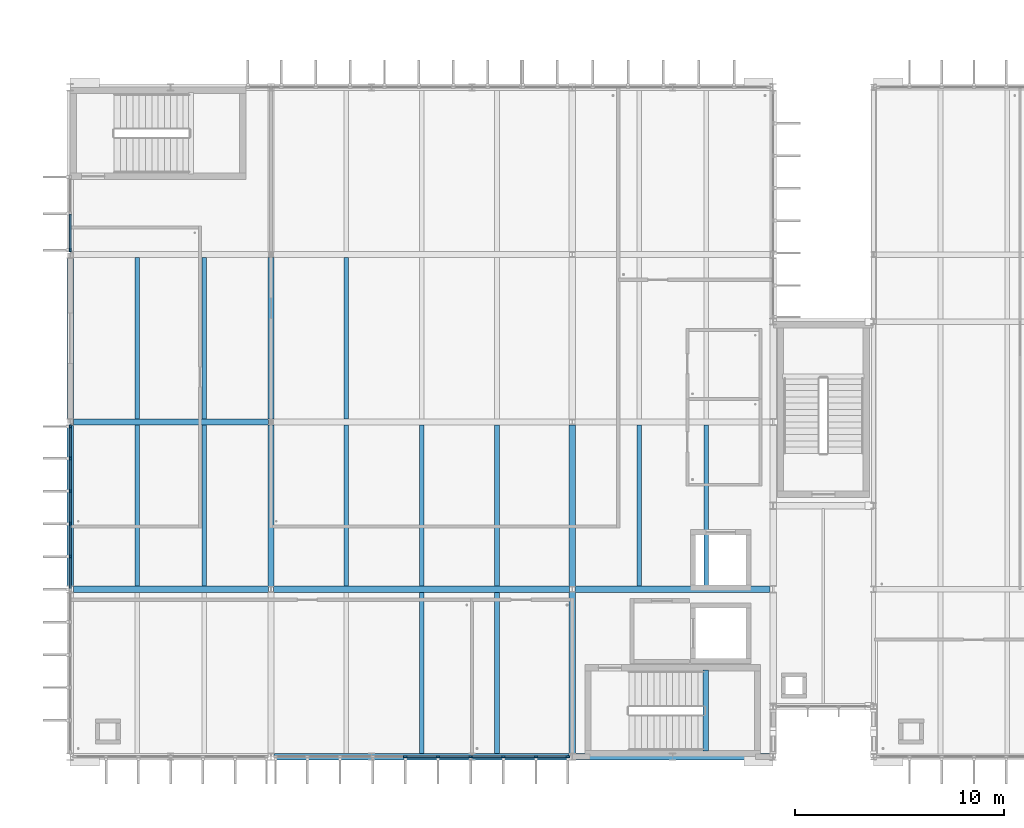
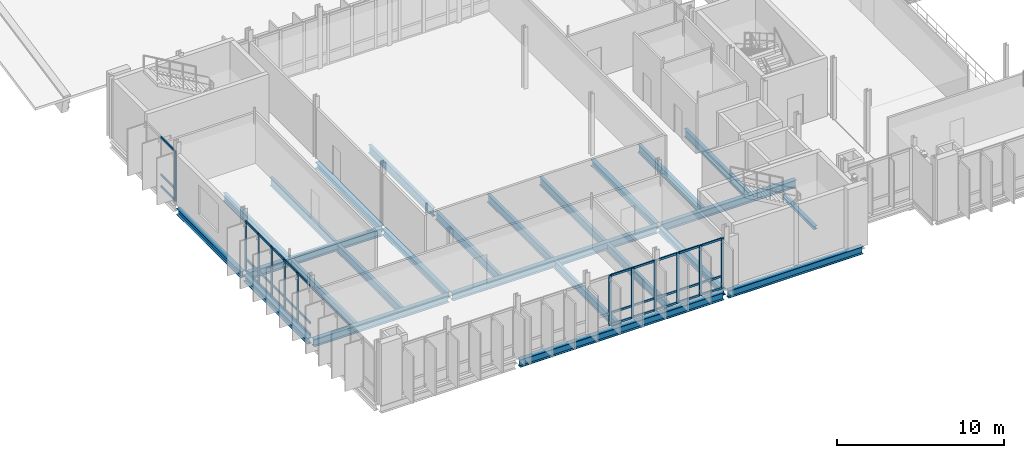
# One storey, part 14 of 59: 45 members, 25 beams, 3 elements without a shape of their own.
"""IFC4 building model written with IfcOpenShell, lengths in metres."""

from ifc_helpers import new_model, si_unit, direction, frame, origin, origin_2d, place, context, subcontext, project, spatial, rectangle, i_section, extrude, material, material_profile, profile_set, type_object, element, aggregate, save


model = new_model("IFC4")

# Units and contexts
model_context = context("Model", 3, precision=1e-05, world=origin(), true_north=direction((0.0, 1.0)))
body_context = subcontext(model_context, "Body", "Model", "MODEL_VIEW")
ifc_project = project(units=[si_unit("LENGTHUNIT", "METRE"), si_unit("AREAUNIT", "SQUARE_METRE"), si_unit("VOLUMEUNIT", "CUBIC_METRE"), si_unit("PLANEANGLEUNIT", "RADIAN"), si_unit("MASSUNIT", "GRAM", prefix="KILO")], contexts=[model_context])

# Site, building, storey
site_placement = place(None, origin())
site = spatial("IfcSite", under=ifc_project, at=site_placement, CompositionType="ELEMENT")
building_placement = place(site_placement, origin())
building = spatial("IfcBuilding", under=site, at=building_placement, Name="Dunescarp Central Library", CompositionType="ELEMENT")
storey_placement = place(building_placement, frame((0.0, 0.0, 18.60009765625)))
storey = spatial("IfcBuildingStorey", under=building, at=storey_placement, Name="L04", CompositionType="ELEMENT", Elevation=18.60009765625)

# Curtain wall, members
ifc_material_1 = material(Name="Marine-grade anodised aluminium 6063-T6", Category="aluminium")
curtain_wall_type = type_object("IfcCurtainWallType", Name="ARC-CW-STICK", PredefinedType="NOTDEFINED", material=ifc_material_1)
curtain_wall_1_placement = place(storey_placement, origin())
curtain_wall_1 = element("IfcCurtainWall", 1, at=curtain_wall_1_placement, inside=storey, type_object=curtain_wall_type, Name="L04 curtain wall CW-V1-025", PredefinedType="NOTDEFINED")
ifc_material_profile_1 = material_profile(ifc_material_1, rectangle(XDim=0.080078125, YDim=0.179931640625, at=origin_2d()), Name="AL 80x180")
ifc_profile_set_1 = profile_set([ifc_material_profile_1], Name="Marine-grade anodised aluminium 6063-T6")
member_type_1 = type_object("IfcMemberType", Name="ARC-CWM-180", PredefinedType="MULLION", material=ifc_profile_set_1)
member_1_placement = place(storey_placement, frame((23.784912109375, 4.800048828125, 0.0), z_axis=(0.0, 0.0, 1.0), x_axis=(0.0, -1.0, 0.0)))
member_1 = element("IfcMember", 2, at=member_1_placement, type_object=member_type_1, Name="CW-V1-025 mullion 1", PredefinedType="MULLION", context=body_context, shape_type="SweptSolid", body=[
    extrude(rectangle(XDim=0.080078125, YDim=0.179931640625, at=origin_2d()), origin(), (0.0, 0.0, 1.0), 3.664794921875),
])
member_2_placement = place(storey_placement, frame((22.263916015625, 4.800048828125, 0.0), z_axis=(0.0, 0.0, 1.0), x_axis=(0.0, -1.0, 0.0)))
member_2 = element("IfcMember", 3, at=member_2_placement, type_object=member_type_1, Name="CW-V1-025 mullion 2", PredefinedType="MULLION", context=body_context, shape_type="SweptSolid", body=[
    extrude(rectangle(XDim=0.080078125, YDim=0.179931640625, at=origin_2d()), origin(), (0.0, 0.0, 1.0), 3.664794921875),
])
member_3_placement = place(storey_placement, frame((20.702880859375, 4.800048828125, 0.0), z_axis=(0.0, 0.0, 1.0), x_axis=(0.0, -1.0, 0.0)))
member_3 = element("IfcMember", 4, at=member_3_placement, type_object=member_type_1, Name="CW-V1-025 mullion 3", PredefinedType="MULLION", context=body_context, shape_type="SweptSolid", body=[
    extrude(rectangle(XDim=0.080078125, YDim=0.179931640625, at=origin_2d()), origin(), (0.0, 0.0, 1.0), 3.664794921875),
])
member_4_placement = place(storey_placement, frame((19.1416015625, 4.800048828125, 0.0), z_axis=(0.0, 0.0, 1.0), x_axis=(0.0, -1.0, 0.0)))
member_4 = element("IfcMember", 5, at=member_4_placement, type_object=member_type_1, Name="CW-V1-025 mullion 4", PredefinedType="MULLION", context=body_context, shape_type="SweptSolid", body=[
    extrude(rectangle(XDim=0.080078125, YDim=0.179931640625, at=origin_2d()), origin(), (0.0, 0.0, 1.0), 3.664794921875),
])
member_5_placement = place(storey_placement, frame((17.58056640625, 4.800048828125, 0.0), z_axis=(0.0, 0.0, 1.0), x_axis=(0.0, -1.0, 0.0)))
member_5 = element("IfcMember", 6, at=member_5_placement, type_object=member_type_1, Name="CW-V1-025 mullion 5", PredefinedType="MULLION", context=body_context, shape_type="SweptSolid", body=[
    extrude(rectangle(XDim=0.080078125, YDim=0.179931640625, at=origin_2d()), origin(), (0.0, 0.0, 1.0), 3.664794921875),
])
member_6_placement = place(storey_placement, frame((16.01953125, 4.800048828125, 0.0), z_axis=(0.0, 0.0, 1.0), x_axis=(0.0, -1.0, 0.0)))
member_6 = element("IfcMember", 7, at=member_6_placement, type_object=member_type_1, Name="CW-V1-025 mullion 6", PredefinedType="MULLION", context=body_context, shape_type="SweptSolid", body=[
    extrude(rectangle(XDim=0.080078125, YDim=0.179931640625, at=origin_2d()), origin(), (0.0, 0.0, 1.0), 3.664794921875),
])

curtain_wall_2_placement = place(storey_placement, origin())
curtain_wall_2 = element("IfcCurtainWall", 8, at=curtain_wall_2_placement, inside=storey, type_object=curtain_wall_type, Name="L04 curtain wall CW-V1-028", PredefinedType="NOTDEFINED")
member_7_placement = place(storey_placement, frame((0.0, 14.364990234375, 0.0), z_axis=(0.0, 0.0, 1.0), x_axis=(-1.0, 0.0, 0.0)))
member_7 = element("IfcMember", 9, at=member_7_placement, type_object=member_type_1, Name="CW-V1-028 mullion 7", PredefinedType="MULLION", context=body_context, shape_type="SweptSolid", body=[
    extrude(rectangle(XDim=0.080078125, YDim=0.179931640625, at=origin_2d()), origin(), (0.0, 0.0, 1.0), 3.664794921875),
])
member_8_placement = place(storey_placement, frame((0.0, 15.929931640625, 0.0), z_axis=(0.0, 0.0, 1.0), x_axis=(-1.0, 0.0, 0.0)))
member_8 = element("IfcMember", 10, at=member_8_placement, type_object=member_type_1, Name="CW-V1-028 mullion 8", PredefinedType="MULLION", context=body_context, shape_type="SweptSolid", body=[
    extrude(rectangle(XDim=0.080078125, YDim=0.179931640625, at=origin_2d()), origin(), (0.0, 0.0, 1.0), 3.664794921875),
])
member_9_placement = place(storey_placement, frame((0.0, 17.4951171875, 0.0), z_axis=(0.0, 0.0, 1.0), x_axis=(-1.0, 0.0, 0.0)))
member_9 = element("IfcMember", 11, at=member_9_placement, type_object=member_type_1, Name="CW-V1-028 mullion 9", PredefinedType="MULLION", context=body_context, shape_type="SweptSolid", body=[
    extrude(rectangle(XDim=0.080078125, YDim=0.179931640625, at=origin_2d()), origin(), (0.0, 0.0, 1.0), 3.664794921875),
])
member_10_placement = place(storey_placement, frame((0.0, 19.06005859375, 0.0), z_axis=(0.0, 0.0, 1.0), x_axis=(-1.0, 0.0, 0.0)))
member_10 = element("IfcMember", 12, at=member_10_placement, type_object=member_type_1, Name="CW-V1-028 mullion 10", PredefinedType="MULLION", context=body_context, shape_type="SweptSolid", body=[
    extrude(rectangle(XDim=0.080078125, YDim=0.179931640625, at=origin_2d()), origin(), (0.0, 0.0, 1.0), 3.664794921875),
])
member_11_placement = place(storey_placement, frame((0.0, 20.5849609375, 0.0), z_axis=(0.0, 0.0, 1.0), x_axis=(-1.0, 0.0, 0.0)))
member_11 = element("IfcMember", 13, at=member_11_placement, type_object=member_type_1, Name="CW-V1-028 mullion 11", PredefinedType="MULLION", context=body_context, shape_type="SweptSolid", body=[
    extrude(rectangle(XDim=0.080078125, YDim=0.179931640625, at=origin_2d()), origin(), (0.0, 0.0, 1.0), 3.664794921875),
])

# Curtain wall, member
curtain_wall_3_placement = place(storey_placement, origin())
curtain_wall_3 = element("IfcCurtainWall", 14, at=curtain_wall_3_placement, inside=storey, type_object=curtain_wall_type, Name="L04 curtain wall CW-V1-029", PredefinedType="NOTDEFINED")
member_12_placement = place(storey_placement, frame((0.0, 29.014892578125, 0.0), z_axis=(0.0, 0.0, 1.0), x_axis=(-1.0, 0.0, 0.0)))
member_12 = element("IfcMember", 15, at=member_12_placement, type_object=member_type_1, Name="CW-V1-029 mullion 1", PredefinedType="MULLION", context=body_context, shape_type="SweptSolid", body=[
    extrude(rectangle(XDim=0.080078125, YDim=0.179931640625, at=origin_2d()), origin(), (0.0, 0.0, 1.0), 3.664794921875),
])

# Member
ifc_material_profile_2 = material_profile(ifc_material_1, rectangle(XDim=0.080078125, YDim=0.14990234375, at=origin_2d()), Name="AL 80x150")
ifc_profile_set_2 = profile_set([ifc_material_profile_2], Name="Marine-grade anodised aluminium 6063-T6")
member_type_2 = type_object("IfcMemberType", Name="ARC-CWT-150", PredefinedType="USERDEFINED", material=ifc_profile_set_2)
member_13_placement = place(storey_placement, frame((23.7451171875, 4.800048828125, 0.039794921875), z_axis=(-1.0, 0.0, 0.0), x_axis=(0.0, -1.0, 0.0)))
member_13 = element("IfcMember", 16, at=member_13_placement, type_object=member_type_2, Name="CW-V1-025 transom 1.1", ObjectType="TRANSOM", PredefinedType="USERDEFINED", context=body_context, shape_type="SweptSolid", body=[
    extrude(rectangle(XDim=0.080078125, YDim=0.14990234375, at=origin_2d()), origin(), (0.0, 0.0, 1.0), 1.441162109375),
])

member_14_placement = place(storey_placement, frame((23.7451171875, 4.800048828125, 0.89990234375), z_axis=(-1.0, 0.0, 0.0), x_axis=(0.0, -1.0, 0.0)))
member_14 = element("IfcMember", 17, at=member_14_placement, type_object=member_type_2, Name="CW-V1-025 transom 1.2", ObjectType="TRANSOM", PredefinedType="USERDEFINED", context=body_context, shape_type="SweptSolid", body=[
    extrude(rectangle(XDim=0.080078125, YDim=0.14990234375, at=origin_2d()), origin(), (0.0, 0.0, 1.0), 1.441162109375),
])

member_15_placement = place(storey_placement, frame((23.7451171875, 4.800048828125, 3.625), z_axis=(-1.0, 0.0, 0.0), x_axis=(0.0, -1.0, 0.0)))
member_15 = element("IfcMember", 18, at=member_15_placement, type_object=member_type_2, Name="CW-V1-025 transom 1.3", ObjectType="TRANSOM", PredefinedType="USERDEFINED", context=body_context, shape_type="SweptSolid", body=[
    extrude(rectangle(XDim=0.080078125, YDim=0.14990234375, at=origin_2d()), origin(), (0.0, 0.0, 1.0), 1.441162109375),
])

member_16_placement = place(storey_placement, frame((22.223876953125, 4.800048828125, 0.039794921875), z_axis=(-1.0, 0.0, 0.0), x_axis=(0.0, -1.0, 0.0)))
member_16 = element("IfcMember", 19, at=member_16_placement, type_object=member_type_2, Name="CW-V1-025 transom 2.1", ObjectType="TRANSOM", PredefinedType="USERDEFINED", context=body_context, shape_type="SweptSolid", body=[
    extrude(rectangle(XDim=0.080078125, YDim=0.14990234375, at=origin_2d()), origin(), (0.0, 0.0, 1.0), 1.481201171875),
])

member_17_placement = place(storey_placement, frame((22.223876953125, 4.800048828125, 0.89990234375), z_axis=(-1.0, 0.0, 0.0), x_axis=(0.0, -1.0, 0.0)))
member_17 = element("IfcMember", 20, at=member_17_placement, type_object=member_type_2, Name="CW-V1-025 transom 2.2", ObjectType="TRANSOM", PredefinedType="USERDEFINED", context=body_context, shape_type="SweptSolid", body=[
    extrude(rectangle(XDim=0.080078125, YDim=0.14990234375, at=origin_2d()), origin(), (0.0, 0.0, 1.0), 1.481201171875),
])

member_18_placement = place(storey_placement, frame((22.223876953125, 4.800048828125, 3.625), z_axis=(-1.0, 0.0, 0.0), x_axis=(0.0, -1.0, 0.0)))
member_18 = element("IfcMember", 21, at=member_18_placement, type_object=member_type_2, Name="CW-V1-025 transom 2.3", ObjectType="TRANSOM", PredefinedType="USERDEFINED", context=body_context, shape_type="SweptSolid", body=[
    extrude(rectangle(XDim=0.080078125, YDim=0.14990234375, at=origin_2d()), origin(), (0.0, 0.0, 1.0), 1.481201171875),
])

member_19_placement = place(storey_placement, frame((20.662841796875, 4.800048828125, 0.039794921875), z_axis=(-1.0, 0.0, 0.0), x_axis=(0.0, -1.0, 0.0)))
member_19 = element("IfcMember", 22, at=member_19_placement, type_object=member_type_2, Name="CW-V1-025 transom 3.1", ObjectType="TRANSOM", PredefinedType="USERDEFINED", context=body_context, shape_type="SweptSolid", body=[
    extrude(rectangle(XDim=0.080078125, YDim=0.14990234375, at=origin_2d()), origin(), (0.0, 0.0, 1.0), 1.481201171875),
])

member_20_placement = place(storey_placement, frame((20.662841796875, 4.800048828125, 0.89990234375), z_axis=(-1.0, 0.0, 0.0), x_axis=(0.0, -1.0, 0.0)))
member_20 = element("IfcMember", 23, at=member_20_placement, type_object=member_type_2, Name="CW-V1-025 transom 3.2", ObjectType="TRANSOM", PredefinedType="USERDEFINED", context=body_context, shape_type="SweptSolid", body=[
    extrude(rectangle(XDim=0.080078125, YDim=0.14990234375, at=origin_2d()), origin(), (0.0, 0.0, 1.0), 1.481201171875),
])

member_21_placement = place(storey_placement, frame((20.662841796875, 4.800048828125, 3.625), z_axis=(-1.0, 0.0, 0.0), x_axis=(0.0, -1.0, 0.0)))
member_21 = element("IfcMember", 24, at=member_21_placement, type_object=member_type_2, Name="CW-V1-025 transom 3.3", ObjectType="TRANSOM", PredefinedType="USERDEFINED", context=body_context, shape_type="SweptSolid", body=[
    extrude(rectangle(XDim=0.080078125, YDim=0.14990234375, at=origin_2d()), origin(), (0.0, 0.0, 1.0), 1.481201171875),
])

member_22_placement = place(storey_placement, frame((19.1015625, 4.800048828125, 0.039794921875), z_axis=(-1.0, 0.0, 0.0), x_axis=(0.0, -1.0, 0.0)))
member_22 = element("IfcMember", 25, at=member_22_placement, type_object=member_type_2, Name="CW-V1-025 transom 4.1", ObjectType="TRANSOM", PredefinedType="USERDEFINED", context=body_context, shape_type="SweptSolid", body=[
    extrude(rectangle(XDim=0.080078125, YDim=0.14990234375, at=origin_2d()), origin(), (0.0, 0.0, 1.0), 1.48095703125),
])

member_23_placement = place(storey_placement, frame((19.1015625, 4.800048828125, 0.89990234375), z_axis=(-1.0, 0.0, 0.0), x_axis=(0.0, -1.0, 0.0)))
member_23 = element("IfcMember", 26, at=member_23_placement, type_object=member_type_2, Name="CW-V1-025 transom 4.2", ObjectType="TRANSOM", PredefinedType="USERDEFINED", context=body_context, shape_type="SweptSolid", body=[
    extrude(rectangle(XDim=0.080078125, YDim=0.14990234375, at=origin_2d()), origin(), (0.0, 0.0, 1.0), 1.48095703125),
])

member_24_placement = place(storey_placement, frame((19.1015625, 4.800048828125, 3.625), z_axis=(-1.0, 0.0, 0.0), x_axis=(0.0, -1.0, 0.0)))
member_24 = element("IfcMember", 27, at=member_24_placement, type_object=member_type_2, Name="CW-V1-025 transom 4.3", ObjectType="TRANSOM", PredefinedType="USERDEFINED", context=body_context, shape_type="SweptSolid", body=[
    extrude(rectangle(XDim=0.080078125, YDim=0.14990234375, at=origin_2d()), origin(), (0.0, 0.0, 1.0), 1.48095703125),
])

member_25_placement = place(storey_placement, frame((17.54052734375, 4.800048828125, 0.039794921875), z_axis=(-1.0, 0.0, 0.0), x_axis=(0.0, -1.0, 0.0)))
member_25 = element("IfcMember", 28, at=member_25_placement, type_object=member_type_2, Name="CW-V1-025 transom 5.1", ObjectType="TRANSOM", PredefinedType="USERDEFINED", context=body_context, shape_type="SweptSolid", body=[
    extrude(rectangle(XDim=0.080078125, YDim=0.14990234375, at=origin_2d()), origin(), (0.0, 0.0, 1.0), 1.481201171875),
])

member_26_placement = place(storey_placement, frame((17.54052734375, 4.800048828125, 0.89990234375), z_axis=(-1.0, 0.0, 0.0), x_axis=(0.0, -1.0, 0.0)))
member_26 = element("IfcMember", 29, at=member_26_placement, type_object=member_type_2, Name="CW-V1-025 transom 5.2", ObjectType="TRANSOM", PredefinedType="USERDEFINED", context=body_context, shape_type="SweptSolid", body=[
    extrude(rectangle(XDim=0.080078125, YDim=0.14990234375, at=origin_2d()), origin(), (0.0, 0.0, 1.0), 1.481201171875),
])

member_27_placement = place(storey_placement, frame((17.54052734375, 4.800048828125, 3.625), z_axis=(-1.0, 0.0, 0.0), x_axis=(0.0, -1.0, 0.0)))
member_27 = element("IfcMember", 30, at=member_27_placement, type_object=member_type_2, Name="CW-V1-025 transom 5.3", ObjectType="TRANSOM", PredefinedType="USERDEFINED", context=body_context, shape_type="SweptSolid", body=[
    extrude(rectangle(XDim=0.080078125, YDim=0.14990234375, at=origin_2d()), origin(), (0.0, 0.0, 1.0), 1.481201171875),
])

aggregate(curtain_wall_1, [member_1, member_2, member_3, member_4, member_5, member_6, member_13, member_14, member_15, member_16, member_17, member_18, member_19, member_20, member_21, member_22, member_23, member_24, member_25, member_26, member_27])

member_28_placement = place(storey_placement, frame((0.0, 12.840087890625, 0.039794921875), z_axis=(0.0, 1.0, 0.0), x_axis=(-1.0, 0.0, 0.0)))
member_28 = element("IfcMember", 31, at=member_28_placement, type_object=member_type_2, Name="CW-V1-028 transom 6.1", ObjectType="TRANSOM", PredefinedType="USERDEFINED", context=body_context, shape_type="SweptSolid", body=[
    extrude(rectangle(XDim=0.080078125, YDim=0.14990234375, at=origin_2d()), origin(), (0.0, 0.0, 1.0), 1.48486328125),
])

member_29_placement = place(storey_placement, frame((0.0, 12.840087890625, 0.89990234375), z_axis=(0.0, 1.0, 0.0), x_axis=(-1.0, 0.0, 0.0)))
member_29 = element("IfcMember", 32, at=member_29_placement, type_object=member_type_2, Name="CW-V1-028 transom 6.2", ObjectType="TRANSOM", PredefinedType="USERDEFINED", context=body_context, shape_type="SweptSolid", body=[
    extrude(rectangle(XDim=0.080078125, YDim=0.14990234375, at=origin_2d()), origin(), (0.0, 0.0, 1.0), 1.48486328125),
])

member_30_placement = place(storey_placement, frame((0.0, 12.840087890625, 3.625), z_axis=(0.0, 1.0, 0.0), x_axis=(-1.0, 0.0, 0.0)))
member_30 = element("IfcMember", 33, at=member_30_placement, type_object=member_type_2, Name="CW-V1-028 transom 6.3", ObjectType="TRANSOM", PredefinedType="USERDEFINED", context=body_context, shape_type="SweptSolid", body=[
    extrude(rectangle(XDim=0.080078125, YDim=0.14990234375, at=origin_2d()), origin(), (0.0, 0.0, 1.0), 1.48486328125),
])

member_31_placement = place(storey_placement, frame((0.0, 14.405029296875, 0.039794921875), z_axis=(0.0, 1.0, 0.0), x_axis=(-1.0, 0.0, 0.0)))
member_31 = element("IfcMember", 34, at=member_31_placement, type_object=member_type_2, Name="CW-V1-028 transom 7.1", ObjectType="TRANSOM", PredefinedType="USERDEFINED", context=body_context, shape_type="SweptSolid", body=[
    extrude(rectangle(XDim=0.080078125, YDim=0.14990234375, at=origin_2d()), origin(), (0.0, 0.0, 1.0), 1.48486328125),
])

member_32_placement = place(storey_placement, frame((0.0, 14.405029296875, 0.89990234375), z_axis=(0.0, 1.0, 0.0), x_axis=(-1.0, 0.0, 0.0)))
member_32 = element("IfcMember", 35, at=member_32_placement, type_object=member_type_2, Name="CW-V1-028 transom 7.2", ObjectType="TRANSOM", PredefinedType="USERDEFINED", context=body_context, shape_type="SweptSolid", body=[
    extrude(rectangle(XDim=0.080078125, YDim=0.14990234375, at=origin_2d()), origin(), (0.0, 0.0, 1.0), 1.48486328125),
])

member_33_placement = place(storey_placement, frame((0.0, 14.405029296875, 3.625), z_axis=(0.0, 1.0, 0.0), x_axis=(-1.0, 0.0, 0.0)))
member_33 = element("IfcMember", 36, at=member_33_placement, type_object=member_type_2, Name="CW-V1-028 transom 7.3", ObjectType="TRANSOM", PredefinedType="USERDEFINED", context=body_context, shape_type="SweptSolid", body=[
    extrude(rectangle(XDim=0.080078125, YDim=0.14990234375, at=origin_2d()), origin(), (0.0, 0.0, 1.0), 1.48486328125),
])

member_34_placement = place(storey_placement, frame((0.0, 15.969970703125, 0.039794921875), z_axis=(0.0, 1.0, 0.0), x_axis=(-1.0, 0.0, 0.0)))
member_34 = element("IfcMember", 37, at=member_34_placement, type_object=member_type_2, Name="CW-V1-028 transom 8.1", ObjectType="TRANSOM", PredefinedType="USERDEFINED", context=body_context, shape_type="SweptSolid", body=[
    extrude(rectangle(XDim=0.080078125, YDim=0.14990234375, at=origin_2d()), origin(), (0.0, 0.0, 1.0), 1.485107421875),
])

member_35_placement = place(storey_placement, frame((0.0, 15.969970703125, 0.89990234375), z_axis=(0.0, 1.0, 0.0), x_axis=(-1.0, 0.0, 0.0)))
member_35 = element("IfcMember", 38, at=member_35_placement, type_object=member_type_2, Name="CW-V1-028 transom 8.2", ObjectType="TRANSOM", PredefinedType="USERDEFINED", context=body_context, shape_type="SweptSolid", body=[
    extrude(rectangle(XDim=0.080078125, YDim=0.14990234375, at=origin_2d()), origin(), (0.0, 0.0, 1.0), 1.485107421875),
])

member_36_placement = place(storey_placement, frame((0.0, 15.969970703125, 3.625), z_axis=(0.0, 1.0, 0.0), x_axis=(-1.0, 0.0, 0.0)))
member_36 = element("IfcMember", 39, at=member_36_placement, type_object=member_type_2, Name="CW-V1-028 transom 8.3", ObjectType="TRANSOM", PredefinedType="USERDEFINED", context=body_context, shape_type="SweptSolid", body=[
    extrude(rectangle(XDim=0.080078125, YDim=0.14990234375, at=origin_2d()), origin(), (0.0, 0.0, 1.0), 1.485107421875),
])

member_37_placement = place(storey_placement, frame((0.0, 17.534912109375, 0.039794921875), z_axis=(0.0, 1.0, 0.0), x_axis=(-1.0, 0.0, 0.0)))
member_37 = element("IfcMember", 40, at=member_37_placement, type_object=member_type_2, Name="CW-V1-028 transom 9.1", ObjectType="TRANSOM", PredefinedType="USERDEFINED", context=body_context, shape_type="SweptSolid", body=[
    extrude(rectangle(XDim=0.080078125, YDim=0.14990234375, at=origin_2d()), origin(), (0.0, 0.0, 1.0), 1.485107421875),
])

member_38_placement = place(storey_placement, frame((0.0, 17.534912109375, 0.89990234375), z_axis=(0.0, 1.0, 0.0), x_axis=(-1.0, 0.0, 0.0)))
member_38 = element("IfcMember", 41, at=member_38_placement, type_object=member_type_2, Name="CW-V1-028 transom 9.2", ObjectType="TRANSOM", PredefinedType="USERDEFINED", context=body_context, shape_type="SweptSolid", body=[
    extrude(rectangle(XDim=0.080078125, YDim=0.14990234375, at=origin_2d()), origin(), (0.0, 0.0, 1.0), 1.485107421875),
])

member_39_placement = place(storey_placement, frame((0.0, 17.534912109375, 3.625), z_axis=(0.0, 1.0, 0.0), x_axis=(-1.0, 0.0, 0.0)))
member_39 = element("IfcMember", 42, at=member_39_placement, type_object=member_type_2, Name="CW-V1-028 transom 9.3", ObjectType="TRANSOM", PredefinedType="USERDEFINED", context=body_context, shape_type="SweptSolid", body=[
    extrude(rectangle(XDim=0.080078125, YDim=0.14990234375, at=origin_2d()), origin(), (0.0, 0.0, 1.0), 1.485107421875),
])

member_40_placement = place(storey_placement, frame((0.0, 19.10009765625, 0.039794921875), z_axis=(0.0, 1.0, 0.0), x_axis=(-1.0, 0.0, 0.0)))
member_40 = element("IfcMember", 43, at=member_40_placement, type_object=member_type_2, Name="CW-V1-028 transom 10.1", ObjectType="TRANSOM", PredefinedType="USERDEFINED", context=body_context, shape_type="SweptSolid", body=[
    extrude(rectangle(XDim=0.080078125, YDim=0.14990234375, at=origin_2d()), origin(), (0.0, 0.0, 1.0), 1.44482421875),
])

member_41_placement = place(storey_placement, frame((0.0, 19.10009765625, 0.89990234375), z_axis=(0.0, 1.0, 0.0), x_axis=(-1.0, 0.0, 0.0)))
member_41 = element("IfcMember", 44, at=member_41_placement, type_object=member_type_2, Name="CW-V1-028 transom 10.2", ObjectType="TRANSOM", PredefinedType="USERDEFINED", context=body_context, shape_type="SweptSolid", body=[
    extrude(rectangle(XDim=0.080078125, YDim=0.14990234375, at=origin_2d()), origin(), (0.0, 0.0, 1.0), 1.44482421875),
])

member_42_placement = place(storey_placement, frame((0.0, 19.10009765625, 3.625), z_axis=(0.0, 1.0, 0.0), x_axis=(-1.0, 0.0, 0.0)))
member_42 = element("IfcMember", 45, at=member_42_placement, type_object=member_type_2, Name="CW-V1-028 transom 10.3", ObjectType="TRANSOM", PredefinedType="USERDEFINED", context=body_context, shape_type="SweptSolid", body=[
    extrude(rectangle(XDim=0.080078125, YDim=0.14990234375, at=origin_2d()), origin(), (0.0, 0.0, 1.0), 1.44482421875),
])

aggregate(curtain_wall_2, [member_7, member_8, member_9, member_10, member_11, member_28, member_29, member_30, member_31, member_32, member_33, member_34, member_35, member_36, member_37, member_38, member_39, member_40, member_41, member_42])

member_43_placement = place(storey_placement, frame((0.0, 29.054931640625, 0.039794921875), z_axis=(0.0, 1.0, 0.0), x_axis=(-1.0, 0.0, 0.0)))
member_43 = element("IfcMember", 46, at=member_43_placement, type_object=member_type_2, Name="CW-V1-029 transom 1.1", ObjectType="TRANSOM", PredefinedType="USERDEFINED", context=body_context, shape_type="SweptSolid", body=[
    extrude(rectangle(XDim=0.080078125, YDim=0.14990234375, at=origin_2d()), origin(), (0.0, 0.0, 1.0), 1.66748046875),
])

member_44_placement = place(storey_placement, frame((0.0, 29.054931640625, 0.89990234375), z_axis=(0.0, 1.0, 0.0), x_axis=(-1.0, 0.0, 0.0)))
member_44 = element("IfcMember", 47, at=member_44_placement, type_object=member_type_2, Name="CW-V1-029 transom 1.2", ObjectType="TRANSOM", PredefinedType="USERDEFINED", context=body_context, shape_type="SweptSolid", body=[
    extrude(rectangle(XDim=0.080078125, YDim=0.14990234375, at=origin_2d()), origin(), (0.0, 0.0, 1.0), 1.66748046875),
])

member_45_placement = place(storey_placement, frame((0.0, 29.054931640625, 3.625), z_axis=(0.0, 1.0, 0.0), x_axis=(-1.0, 0.0, 0.0)))
member_45 = element("IfcMember", 48, at=member_45_placement, type_object=member_type_2, Name="CW-V1-029 transom 1.3", ObjectType="TRANSOM", PredefinedType="USERDEFINED", context=body_context, shape_type="SweptSolid", body=[
    extrude(rectangle(XDim=0.080078125, YDim=0.14990234375, at=origin_2d()), origin(), (0.0, 0.0, 1.0), 1.66748046875),
])

aggregate(curtain_wall_3, [member_12, member_43, member_44, member_45])

# Beams
ifc_material_2 = material(Name="Steel S355JR", Category="steel")
ifc_material_profile_3 = material_profile(ifc_material_2, i_section(OverallWidth=0.300048828125, OverallDepth=0.449951171875, WebThickness=0.013916015625, FlangeThickness=0.02587890625, at=origin_2d()), Name="HEB 450")
ifc_profile_set_3 = profile_set([ifc_material_profile_3], Name="Steel S355JR")
beam_type_1 = type_object("IfcBeamType", Name="STR-BM-HEB450", PredefinedType="BEAM", material=ifc_profile_set_3)
beam_1_placement = place(storey_placement, frame((0.0, 12.9609375, -0.47509765625), z_axis=(0.0, 1.0, 0.0), x_axis=(-1.0, 0.0, 0.0)))
element("IfcBeam", 49, at=beam_1_placement, inside=storey, type_object=beam_type_1, Name="L04 girder BM-L04-0173", PredefinedType="BEAM", context=body_context, shape_type="SweptSolid", body=[
    extrude(i_section(OverallWidth=0.300048828125, OverallDepth=0.449951171875, WebThickness=0.013916015625, FlangeThickness=0.02587890625, at=origin_2d()), origin(), (0.0, 0.0, 1.0), 7.677978515625),
])
beam_2_placement = place(storey_placement, frame((9.60009765625, 12.93505859375, -0.47509765625), z_axis=(0.0, 1.0, 0.0), x_axis=(-1.0, 0.0, 0.0)))
element("IfcBeam", 50, at=beam_2_placement, inside=storey, type_object=beam_type_1, Name="L04 girder BM-L04-0174", PredefinedType="BEAM", context=body_context, shape_type="SweptSolid", body=[
    extrude(i_section(OverallWidth=0.300048828125, OverallDepth=0.449951171875, WebThickness=0.013916015625, FlangeThickness=0.02587890625, at=origin_2d()), origin(), (0.0, 0.0, 1.0), 7.72998046875),
])
beam_3_placement = place(storey_placement, frame((0.0, 20.9609375, -0.47509765625), z_axis=(0.0, 1.0, 0.0), x_axis=(-1.0, 0.0, 0.0)))
element("IfcBeam", 51, at=beam_3_placement, inside=storey, type_object=beam_type_1, Name="L04 girder BM-L04-0178", PredefinedType="BEAM", context=body_context, shape_type="SweptSolid", body=[
    extrude(i_section(OverallWidth=0.300048828125, OverallDepth=0.449951171875, WebThickness=0.013916015625, FlangeThickness=0.02587890625, at=origin_2d()), origin(), (0.0, 0.0, 1.0), 7.677978515625),
])
beam_4_placement = place(storey_placement, frame((9.60009765625, 20.93505859375, -0.47509765625), z_axis=(0.0, 1.0, 0.0), x_axis=(-1.0, 0.0, 0.0)))
element("IfcBeam", 52, at=beam_4_placement, inside=storey, type_object=beam_type_1, Name="L04 girder BM-L04-0179", PredefinedType="BEAM", context=body_context, shape_type="SweptSolid", body=[
    extrude(i_section(OverallWidth=0.300048828125, OverallDepth=0.449951171875, WebThickness=0.013916015625, FlangeThickness=0.02587890625, at=origin_2d()), origin(), (0.0, 0.0, 1.0), 7.72998046875),
])
beam_5_placement = place(storey_placement, frame((24.0, 4.9609375, -0.47509765625), z_axis=(0.0, 1.0, 0.0), x_axis=(-1.0, 0.0, 0.0)))
element("IfcBeam", 53, at=beam_5_placement, inside=storey, type_object=beam_type_1, Name="L04 girder BM-L04-0187", PredefinedType="BEAM", context=body_context, shape_type="SweptSolid", body=[
    extrude(i_section(OverallWidth=0.300048828125, OverallDepth=0.449951171875, WebThickness=0.013916015625, FlangeThickness=0.02587890625, at=origin_2d()), origin(), (0.0, 0.0, 1.0), 7.7041015625),
])
beam_6_placement = place(storey_placement, frame((24.0, 12.93505859375, -0.47509765625), z_axis=(0.0, 1.0, 0.0), x_axis=(-1.0, 0.0, 0.0)))
element("IfcBeam", 54, at=beam_6_placement, inside=storey, type_object=beam_type_1, Name="L04 girder BM-L04-0192", PredefinedType="BEAM", context=body_context, shape_type="SweptSolid", body=[
    extrude(i_section(OverallWidth=0.300048828125, OverallDepth=0.449951171875, WebThickness=0.013916015625, FlangeThickness=0.02587890625, at=origin_2d()), origin(), (0.0, 0.0, 1.0), 7.72998046875),
])
ifc_material_profile_4 = material_profile(ifc_material_2, i_section(OverallWidth=0.300048828125, OverallDepth=0.550048828125, WebThickness=0.014892578125, FlangeThickness=0.029052734375, at=origin_2d()), Name="HEB 550")
ifc_profile_set_4 = profile_set([ifc_material_profile_4], Name="Steel S355JR")
beam_type_2 = type_object("IfcBeamType", Name="STR-BM-HEB550", PredefinedType="BEAM", material=ifc_profile_set_4)
for number, where, z_axis, x_axis, name in (
    (55, (0.153076171875, 12.800048828125, -0.525146484375), (1.0, 0.0, 0.0), (0.0, 1.0, 0.0), "L04 girder BM-L04-0167"),
    (56, (0.153076171875, 20.800048828125, -0.525146484375), (1.0, 0.0, 0.0), (0.0, 1.0, 0.0), "L04 girder BM-L04-0172"),
):
    element("IfcBeam", number, at=place(storey_placement, frame(where, z_axis=z_axis, x_axis=x_axis)), inside=storey, type_object=beam_type_2, Name=name, PredefinedType="BEAM", context=body_context, shape_type="SweptSolid", body=[
        extrude(i_section(OverallWidth=0.300048828125, OverallDepth=0.550048828125, WebThickness=0.014892578125, FlangeThickness=0.029052734375, at=origin_2d()), origin(), (0.0, 0.0, 1.0), 9.31884765625),
    ])
beam_7_placement = place(storey_placement, frame((9.7529296875, 4.800048828125, -0.525146484375), z_axis=(1.0, 0.0, 0.0), x_axis=(0.0, 1.0, 0.0)))
element("IfcBeam", 57, at=beam_7_placement, inside=storey, type_object=beam_type_2, Name="L04 girder BM-L04-0185", PredefinedType="BEAM", context=body_context, shape_type="SweptSolid", body=[
    extrude(i_section(OverallWidth=0.300048828125, OverallDepth=0.550048828125, WebThickness=0.014892578125, FlangeThickness=0.029052734375, at=origin_2d()), origin(), (0.0, 0.0, 1.0), 14.093994140625),
])
beam_8_placement = place(storey_placement, frame((9.72802734375, 12.800048828125, -0.525146484375), z_axis=(1.0, 0.0, 0.0), x_axis=(0.0, 1.0, 0.0)))
element("IfcBeam", 58, at=beam_8_placement, inside=storey, type_object=beam_type_2, Name="L04 girder BM-L04-0186", PredefinedType="BEAM", context=body_context, shape_type="SweptSolid", body=[
    extrude(i_section(OverallWidth=0.300048828125, OverallDepth=0.550048828125, WebThickness=0.014892578125, FlangeThickness=0.029052734375, at=origin_2d()), origin(), (0.0, 0.0, 1.0), 14.14404296875),
])
beam_9_placement = place(storey_placement, frame((24.153076171875, 4.800048828125, -0.525146484375), z_axis=(1.0, 0.0, 0.0), x_axis=(0.0, 1.0, 0.0)))
element("IfcBeam", 59, at=beam_9_placement, inside=storey, type_object=beam_type_2, Name="L04 girder BM-L04-0206", PredefinedType="BEAM", context=body_context, shape_type="SweptSolid", body=[
    extrude(i_section(OverallWidth=0.300048828125, OverallDepth=0.550048828125, WebThickness=0.014892578125, FlangeThickness=0.029052734375, at=origin_2d()), origin(), (0.0, 0.0, 1.0), 9.2939453125),
])
beam_10_placement = place(storey_placement, frame((24.1279296875, 12.800048828125, -0.525146484375), z_axis=(1.0, 0.0, 0.0), x_axis=(0.0, 1.0, 0.0)))
element("IfcBeam", 60, at=beam_10_placement, inside=storey, type_object=beam_type_2, Name="L04 girder BM-L04-0207", PredefinedType="BEAM", context=body_context, shape_type="SweptSolid", body=[
    extrude(i_section(OverallWidth=0.300048828125, OverallDepth=0.550048828125, WebThickness=0.014892578125, FlangeThickness=0.029052734375, at=origin_2d()), origin(), (0.0, 0.0, 1.0), 9.319091796875),
])
ifc_material_profile_5 = material_profile(ifc_material_2, i_section(OverallWidth=0.239990234375, OverallDepth=0.22998046875, WebThickness=0.007568359375, FlangeThickness=0.011962890625, at=origin_2d()), Name="HEA 240")
ifc_profile_set_5 = profile_set([ifc_material_profile_5], Name="Steel S355JR")
beam_type_3 = type_object("IfcBeamType", Name="STR-JS-HEA240", PredefinedType="JOIST", material=ifc_profile_set_5)
beam_11_placement = place(storey_placement, frame((30.3798828125, 5.06005859375, 1.934814453125), z_axis=(0.0, 1.0, 0.0), x_axis=(-1.0, 0.0, 0.0)))
element("IfcBeam", 61, at=beam_11_placement, inside=storey, type_object=beam_type_3, Name="L04 ST-1 landing trimmer beam BM-ST-005", PredefinedType="BEAM", context=body_context, shape_type="SweptSolid", body=[
    extrude(i_section(OverallWidth=0.239990234375, OverallDepth=0.22998046875, WebThickness=0.007568359375, FlangeThickness=0.011962890625, at=origin_2d()), origin(), (0.0, 0.0, 1.0), 3.8798828125),
])
ifc_material_profile_6 = material_profile(ifc_material_2, i_section(OverallWidth=0.219970703125, OverallDepth=0.60009765625, WebThickness=0.011962890625, FlangeThickness=0.01904296875, at=origin_2d()), Name="IPE 600")
ifc_profile_set_6 = profile_set([ifc_material_profile_6], Name="Steel S355JR")
beam_type_4 = type_object("IfcBeamType", Name="STR-JS-IPE500", PredefinedType="JOIST", material=ifc_profile_set_6)
for number, where, z_axis, x_axis, name in (
    (62, (3.199951171875, 12.947998046875, -0.550048828125), (0.0, 1.0, 0.0), (-1.0, 0.0, 0.0), "L04 joist JS-L04-0175"),
    (63, (6.39990234375, 12.947998046875, -0.550048828125), (0.0, 1.0, 0.0), (-1.0, 0.0, 0.0), "L04 joist JS-L04-0176"),
    (64, (3.199951171875, 20.947998046875, -0.550048828125), (0.0, 1.0, 0.0), (-1.0, 0.0, 0.0), "L04 joist JS-L04-0180"),
    (65, (6.39990234375, 20.947998046875, -0.550048828125), (0.0, 1.0, 0.0), (-1.0, 0.0, 0.0), "L04 joist JS-L04-0181"),
    (66, (16.800048828125, 4.947998046875, -0.550048828125), (0.0, 1.0, 0.0), (-1.0, 0.0, 0.0), "L04 joist JS-L04-0189"),
    (67, (20.39990234375, 4.947998046875, -0.550048828125), (0.0, 1.0, 0.0), (-1.0, 0.0, 0.0), "L04 joist JS-L04-0190"),
    (68, (13.199951171875, 12.947998046875, -0.550048828125), (0.0, 1.0, 0.0), (-1.0, 0.0, 0.0), "L04 joist JS-L04-0193"),
    (69, (16.800048828125, 12.947998046875, -0.550048828125), (0.0, 1.0, 0.0), (-1.0, 0.0, 0.0), "L04 joist JS-L04-0194"),
    (70, (20.39990234375, 12.947998046875, -0.550048828125), (0.0, 1.0, 0.0), (-1.0, 0.0, 0.0), "L04 joist JS-L04-0195"),
    (71, (13.199951171875, 20.947998046875, -0.550048828125), (0.0, 1.0, 0.0), (-1.0, 0.0, 0.0), "L04 joist JS-L04-0198"),
    (72, (27.199951171875, 12.947998046875, -0.550048828125), (0.0, 1.0, 0.0), (-1.0, 0.0, 0.0), "L04 joist JS-L04-0211"),
    (73, (30.39990234375, 12.947998046875, -0.550048828125), (0.0, 1.0, 0.0), (-1.0, 0.0, 0.0), "L04 joist JS-L04-0212"),
):
    element("IfcBeam", number, at=place(storey_placement, frame(where, z_axis=z_axis, x_axis=x_axis)), inside=storey, type_object=beam_type_4, Name=name, PredefinedType="JOIST", context=body_context, shape_type="SweptSolid", body=[
        extrude(i_section(OverallWidth=0.219970703125, OverallDepth=0.60009765625, WebThickness=0.011962890625, FlangeThickness=0.01904296875, at=origin_2d()), origin(), (0.0, 0.0, 1.0), 7.7041015625),
    ])

save(model, "model.ifc")
